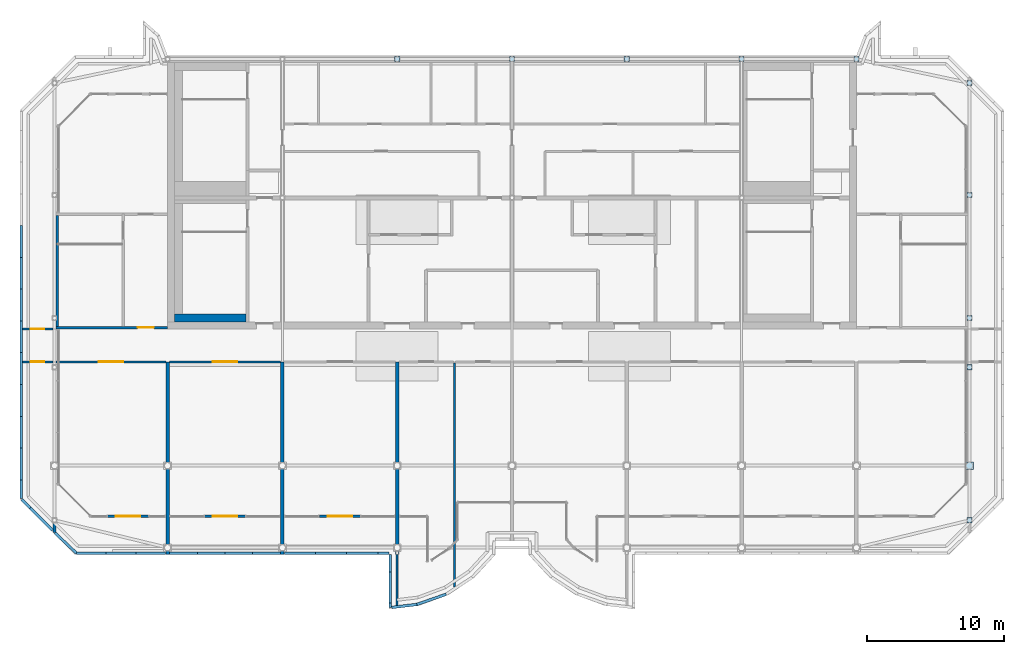
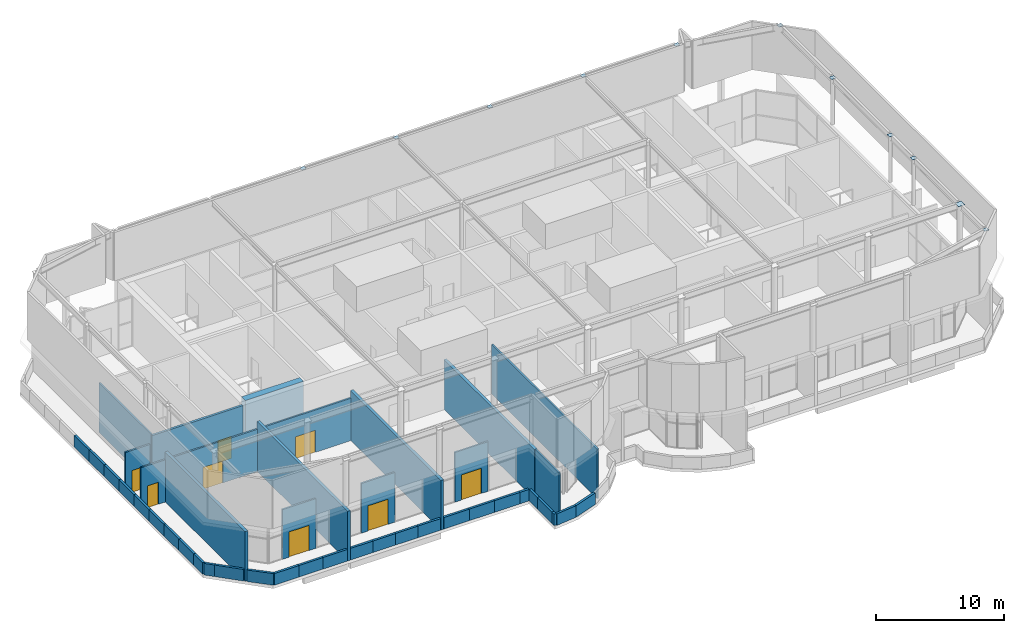
# One storey, part 18 of 25: 44 walls, 11 plates, 8 doors, 8 openings.
"""IFC4 building model written with IfcOpenShell, lengths in metres."""

from ifc_helpers import new_model, si_unit, direction, frame, frame_2d, origin, origin_2d, place, context, subcontext, project, spatial, rectangle, extrude, source, transform, mapped, material, layer, layer_set, type_object, element, fill, save


model = new_model("IFC4")

# Units and contexts
model_context = context("Model", 3, precision=1e-05, world=origin(), true_north=direction((0.0, 1.0)))
body_context = subcontext(model_context, "Body", "Model", "MODEL_VIEW")
ifc_project = project(units=[si_unit("LENGTHUNIT", "METRE"), si_unit("AREAUNIT", "SQUARE_METRE"), si_unit("VOLUMEUNIT", "CUBIC_METRE"), si_unit("PLANEANGLEUNIT", "RADIAN"), si_unit("MASSUNIT", "GRAM", prefix="KILO")], contexts=[model_context])

# Site, building, storey
site_placement = place(None, origin())
site = spatial("IfcSite", under=ifc_project, at=site_placement, CompositionType="ELEMENT")
building_placement = place(site_placement, origin())
building = spatial("IfcBuilding", under=site, at=building_placement, Name="Vanashikhar Sky Hotel", CompositionType="ELEMENT")
storey_placement = place(building_placement, frame((0.0, 0.0, 329.699951171875)))
storey = spatial("IfcBuildingStorey", under=building, at=storey_placement, Name="L78", CompositionType="ELEMENT", Elevation=329.699951171875)

# Plates
ifc_material_1 = material(Name="Steel S355", Category="steel")
ifc_layer_1 = layer(ifc_material_1, 0.02001953125)
ifc_layer_set_1 = layer_set([ifc_layer_1], Name="Post cap plate 20")
plate_type = type_object("IfcPlateType", Name="Post cap plate 20", PredefinedType="SHEET", material=ifc_layer_set_1)
shared_shape_1 = source(origin(), body_context, "Body", "SweptSolid", [
    extrude(rectangle(XDim=0.568115234375, YDim=0.568115234375, at=origin_2d()), origin(), (0.0, 0.0, 1.0), 0.02001953125),
])
plate_placement = place(storey_placement, frame((83.875, 12.0, 9.400146484375), z_axis=(0.0, 0.0, 1.0), x_axis=(1.0, 0.0, 0.0)))
element("IfcPlate", 1, at=plate_placement, inside=storey, type_object=plate_type, Name="Post cap plate", PredefinedType="SHEET", context=body_context, shape_type="MappedRepresentation", body=[
    mapped(shared_shape_1, transform((0.0, 0.0, 0.0), scale=1.0)),
])
shared_shape_2 = source(origin(), body_context, "Body", "SweptSolid", [
    extrude(rectangle(XDim=0.384033203125, YDim=0.384033203125, at=origin_2d()), origin(), (0.0, 0.0, 1.0), 0.02001953125),
])
for number, where, z_axis, x_axis, name in (
    (2, (42.0, 41.75, 9.400146484375), (0.0, 0.0, 1.0), (1.0, 0.0, 0.0), "Post cap plate"),
    (3, (50.39990234375, 41.75, 9.400146484375), (0.0, 0.0, 1.0), (1.0, 0.0, 0.0), "Post cap plate"),
    (4, (58.800048828125, 41.75, 9.400146484375), (0.0, 0.0, 1.0), (1.0, 0.0, 0.0), "Post cap plate"),
    (5, (67.199951171875, 41.75, 9.400146484375), (0.0, 0.0, 1.0), (1.0, 0.0, 0.0), "Post cap plate"),
    (6, (75.60009765625, 41.75, 9.400146484375), (0.0, 0.0, 1.0), (1.0, 0.0, 0.0), "Post cap plate"),
    (7, (83.875, 8.0, 9.400146484375), (0.0, 0.0, 1.0), (1.0, 0.0, 0.0), "Post cap plate"),
    (8, (83.875, 19.199951171875, 9.400146484375), (0.0, 0.0, 1.0), (1.0, 0.0, 0.0), "Post cap plate"),
    (9, (83.875, 22.800048828125, 9.400146484375), (0.0, 0.0, 1.0), (1.0, 0.0, 0.0), "Post cap plate"),
    (10, (83.875, 31.800048828125, 9.400146484375), (0.0, 0.0, 1.0), (1.0, 0.0, 0.0), "Post cap plate"),
    (11, (83.875, 40.0, 9.400146484375), (0.0, 0.0, 1.0), (1.0, 0.0, 0.0), "Post cap plate"),
):
    element("IfcPlate", number, at=place(storey_placement, frame(where, z_axis=z_axis, x_axis=x_axis)), inside=storey, type_object=plate_type, Name=name, PredefinedType="SHEET", context=body_context, shape_type="MappedRepresentation", body=[
        mapped(shared_shape_2, transform((0.0, 0.0, 0.0), scale=1.0)),
    ])

# Walls
ifc_material_2 = material(Name="Concrete M50", Category="concrete")
ifc_layer_2 = layer(ifc_material_2, 0.25)
ifc_layer_set_2 = layer_set([ifc_layer_2], Name="RC shear wall 250 Concrete M50")
wall_type_1 = type_object("IfcWallType", Name="RC shear wall 250 Concrete M50", PredefinedType="SHEAR", material=ifc_layer_set_2)
shared_shape_3 = source(origin(), body_context, "Body", "SweptSolid", [
    extrude(rectangle(XDim=12.5, YDim=0.25, at=frame_2d((6.25, 0.0))), origin(), (0.0, 0.0, 1.0), 4.719970703125),
])
wall_1_placement = place(storey_placement, frame((16.925048828125, 7.10009765625, 0.0), z_axis=(0.0, 0.0, 1.0), x_axis=(0.0, 1.0, 0.0)))
element("IfcWall", 12, at=wall_1_placement, inside=storey, type_object=wall_type_1, Name="CW-L78-XW03-1", PredefinedType="SHEAR", context=body_context, shape_type="MappedRepresentation", body=[
    mapped(shared_shape_3, transform((0.0, 0.0, 0.0), scale=1.0)),
])
shared_shape_4 = source(origin(), body_context, "Body", "SweptSolid", [
    extrude(rectangle(XDim=14.10009765625, YDim=0.25, at=frame_2d((7.050048828125, 0.0))), origin(), (0.0, 0.0, 1.0), 4.719970703125),
])
for number, where, z_axis, x_axis, name in (
    (13, (25.199951171875, 5.5, 0.0), (0.0, 0.0, 1.0), (0.0, 1.0, 0.0), "CW-L78-XW04-1"),
    (14, (33.60009765625, 5.5, 0.0), (0.0, 0.0, 1.0), (0.0, 1.0, 0.0), "CW-L78-XW05-1"),
    (15, (42.0, 5.5, 0.0), (0.0, 0.0, 1.0), (0.0, 1.0, 0.0), "CW-L78-XW06-1"),
):
    element("IfcWall", number, at=place(storey_placement, frame(where, z_axis=z_axis, x_axis=x_axis)), inside=storey, type_object=wall_type_1, Name=name, PredefinedType="SHEAR", context=body_context, shape_type="MappedRepresentation", body=[
        mapped(shared_shape_4, transform((0.0, 0.0, 0.0), scale=1.0)),
    ])
ifc_layer_3 = layer(ifc_material_2, 0.199951171875)
ifc_layer_set_3 = layer_set([ifc_layer_3], Name="Parapet 200")
wall_type_2 = type_object("IfcWallType", Name="Parapet 200", PredefinedType="PARAPET", material=ifc_layer_set_3)
shared_shape_5 = source(origin(), body_context, "Body", "SweptSolid", [
    extrude(rectangle(XDim=2.32421875, YDim=0.199951171875, at=frame_2d((1.162109375, 0.0))), origin(), (0.0, 0.0, 1.0), 1.10009765625),
])
for number, where, z_axis, x_axis, name in (
    (16, (16.780029296875, 7.261474609375, 0.0), (0.0, 0.0, 1.0), (-0.707106781187, 0.707106781187, 0.0), "Lookout balustrade wall"),
    (17, (14.5, 13.290283203125, 0.0), (0.0, 0.0, 1.0), (0.0, 1.0, 0.0), "Lookout balustrade wall"),
    (18, (14.5, 22.587890625, 0.0), (0.0, 0.0, 1.0), (0.0, 1.0, 0.0), "Lookout balustrade wall"),
):
    element("IfcWall", number, at=place(storey_placement, frame(where, z_axis=z_axis, x_axis=x_axis)), inside=storey, type_object=wall_type_2, Name=name, PredefinedType="PARAPET", context=body_context, shape_type="MappedRepresentation", body=[
        mapped(shared_shape_5, transform((0.0, 0.0, 0.0), scale=1.0)),
    ])
shared_shape_6 = source(origin(), body_context, "Body", "SweptSolid", [
    extrude(rectangle(XDim=0.858642578125, YDim=0.199951171875, at=frame_2d((0.42919921875, 0.0))), origin(), (0.0, 0.0, 1.0), 1.10009765625),
])
wall_2_placement = place(storey_placement, frame((15.136474609375, 8.905029296875, 0.0), z_axis=(0.0, 0.0, 1.0), x_axis=(-0.707106781187, 0.707106781187, 0.0)))
element("IfcWall", 19, at=wall_2_placement, inside=storey, type_object=wall_type_2, Name="Lookout balustrade wall", PredefinedType="PARAPET", context=body_context, shape_type="MappedRepresentation", body=[
    mapped(shared_shape_6, transform((0.0, 0.0, 0.0), scale=1.0)),
])
shared_shape_7 = source(origin(), body_context, "Body", "SweptSolid", [
    extrude(rectangle(XDim=1.383056640625, YDim=0.199951171875, at=frame_2d((0.69140625, 0.0))), origin(), (0.0, 0.0, 1.0), 1.10009765625),
])
wall_3_placement = place(storey_placement, frame((14.5, 9.582763671875, 0.0), z_axis=(0.0, 0.0, 1.0), x_axis=(0.0, 1.0, 0.0)))
element("IfcWall", 20, at=wall_3_placement, inside=storey, type_object=wall_type_2, Name="Lookout balustrade wall", PredefinedType="PARAPET", context=body_context, shape_type="MappedRepresentation", body=[
    mapped(shared_shape_7, transform((0.0, 0.0, 0.0), scale=1.0)),
])
shared_shape_8 = source(origin(), body_context, "Body", "SweptSolid", [
    extrude(rectangle(XDim=2.324462890625, YDim=0.199951171875, at=frame_2d((1.162109375, 0.0))), origin(), (0.0, 0.0, 1.0), 1.10009765625),
])
for number, where, z_axis, x_axis, name in (
    (21, (14.5, 10.9658203125, 0.0), (0.0, 0.0, 1.0), (0.0, 1.0, 0.0), "Lookout balustrade wall"),
    (22, (14.5, 15.614501953125, 0.0), (0.0, 0.0, 1.0), (0.0, 1.0, 0.0), "Lookout balustrade wall"),
    (23, (14.5, 17.93896484375, 0.0), (0.0, 0.0, 1.0), (0.0, 1.0, 0.0), "Lookout balustrade wall"),
    (24, (14.5, 20.263427734375, 0.0), (0.0, 0.0, 1.0), (0.0, 1.0, 0.0), "Lookout balustrade wall"),
    (25, (14.5, 24.912109375, 0.0), (0.0, 0.0, 1.0), (0.0, 1.0, 0.0), "Lookout balustrade wall"),
    (26, (14.5, 27.236572265625, 0.0), (0.0, 0.0, 1.0), (0.0, 1.0, 0.0), "Lookout balustrade wall"),
):
    element("IfcWall", number, at=place(storey_placement, frame(where, z_axis=z_axis, x_axis=x_axis)), inside=storey, type_object=wall_type_2, Name=name, PredefinedType="PARAPET", context=body_context, shape_type="MappedRepresentation", body=[
        mapped(shared_shape_8, transform((0.0, 0.0, 0.0), scale=1.0)),
    ])
shared_shape_9 = source(origin(), body_context, "Body", "SweptSolid", [
    extrude(rectangle(XDim=2.176513671875, YDim=0.199951171875, at=frame_2d((1.08837890625, 0.0))), origin(), (0.0, 0.0, 1.0), 1.10009765625),
])
wall_4_placement = place(storey_placement, frame((25.054931640625, 5.60009765625, 0.0), z_axis=(0.0, 0.0, 1.0), x_axis=(-1.0, 0.0, 0.0)))
element("IfcWall", 27, at=wall_4_placement, inside=storey, type_object=wall_type_2, Name="Lookout balustrade wall", PredefinedType="PARAPET", context=body_context, shape_type="MappedRepresentation", body=[
    mapped(shared_shape_9, transform((0.0, 0.0, 0.0), scale=1.0)),
])
shared_shape_10 = source(origin(), body_context, "Body", "SweptSolid", [
    extrude(rectangle(XDim=2.1767578125, YDim=0.199951171875, at=frame_2d((1.08837890625, 0.0))), origin(), (0.0, 0.0, 1.0), 1.10009765625),
])
for number, where, z_axis, x_axis, name in (
    (28, (22.87841796875, 5.60009765625, 0.0), (0.0, 0.0, 1.0), (-1.0, 0.0, 0.0), "Lookout balustrade wall"),
    (29, (20.70166015625, 5.60009765625, 0.0), (0.0, 0.0, 1.0), (-1.0, 0.0, 0.0), "Lookout balustrade wall"),
):
    element("IfcWall", number, at=place(storey_placement, frame(where, z_axis=z_axis, x_axis=x_axis)), inside=storey, type_object=wall_type_2, Name=name, PredefinedType="PARAPET", context=body_context, shape_type="MappedRepresentation", body=[
        mapped(shared_shape_10, transform((0.0, 0.0, 0.0), scale=1.0)),
    ])
shared_shape_11 = source(origin(), body_context, "Body", "SweptSolid", [
    extrude(rectangle(XDim=2.15283203125, YDim=0.199951171875, at=frame_2d((1.076416015625, 0.0))), origin(), (0.0, 0.0, 1.0), 1.10009765625),
])
wall_5_placement = place(storey_placement, frame((18.52490234375, 5.60009765625, 0.0), z_axis=(0.0, 0.0, 1.0), x_axis=(-0.726232737351, 0.687448915338, 0.0)))
element("IfcWall", 30, at=wall_5_placement, inside=storey, type_object=wall_type_2, Name="Lookout balustrade wall", PredefinedType="PARAPET", context=body_context, shape_type="MappedRepresentation", body=[
    mapped(shared_shape_11, transform((0.0, 0.0, 0.0), scale=1.0)),
])
shared_shape_12 = source(origin(), body_context, "Body", "SweptSolid", [
    extrude(rectangle(XDim=2.027587890625, YDim=0.199951171875, at=frame_2d((1.013671875, 0.0))), origin(), (0.0, 0.0, 1.0), 1.10009765625),
])
for number, where, z_axis, x_axis, name in (
    (31, (33.455078125, 5.60009765625, 0.0), (0.0, 0.0, 1.0), (-1.0, 0.0, 0.0), "Lookout balustrade wall"),
    (32, (31.427490234375, 5.60009765625, 0.0), (0.0, 0.0, 1.0), (-1.0, 0.0, 0.0), "Lookout balustrade wall"),
    (33, (27.37255859375, 5.60009765625, 0.0), (0.0, 0.0, 1.0), (-1.0, 0.0, 0.0), "Lookout balustrade wall"),
):
    element("IfcWall", number, at=place(storey_placement, frame(where, z_axis=z_axis, x_axis=x_axis)), inside=storey, type_object=wall_type_2, Name=name, PredefinedType="PARAPET", context=body_context, shape_type="MappedRepresentation", body=[
        mapped(shared_shape_12, transform((0.0, 0.0, 0.0), scale=1.0)),
    ])
shared_shape_13 = source(origin(), body_context, "Body", "SweptSolid", [
    extrude(rectangle(XDim=2.02734375, YDim=0.199951171875, at=frame_2d((1.013671875, 0.0))), origin(), (0.0, 0.0, 1.0), 1.10009765625),
])
wall_6_placement = place(storey_placement, frame((29.39990234375, 5.60009765625, 0.0), z_axis=(0.0, 0.0, 1.0), x_axis=(-1.0, 0.0, 0.0)))
element("IfcWall", 34, at=wall_6_placement, inside=storey, type_object=wall_type_2, Name="Lookout balustrade wall", PredefinedType="PARAPET", context=body_context, shape_type="MappedRepresentation", body=[
    mapped(shared_shape_13, transform((0.0, 0.0, 0.0), scale=1.0)),
])
shared_shape_14 = source(origin(), body_context, "Body", "SweptSolid", [
    extrude(rectangle(XDim=2.276611328125, YDim=0.199951171875, at=frame_2d((1.13818359375, 0.0))), origin(), (0.0, 0.0, 1.0), 1.10009765625),
])
wall_7_placement = place(storey_placement, frame((45.58447265625, 2.591064453125, 0.0), z_axis=(0.0, 0.0, 1.0), x_axis=(-0.944407068574, -0.328778479874, 0.0)))
element("IfcWall", 35, at=wall_7_placement, inside=storey, type_object=wall_type_2, Name="Lookout balustrade wall", PredefinedType="PARAPET", context=body_context, shape_type="MappedRepresentation", body=[
    mapped(shared_shape_14, transform((0.0, 0.0, 0.0), scale=1.0)),
])
shared_shape_15 = source(origin(), body_context, "Body", "SweptSolid", [
    extrude(rectangle(XDim=1.847900390625, YDim=0.199951171875, at=frame_2d((0.923828125, 0.0))), origin(), (0.0, 0.0, 1.0), 1.10009765625),
])
wall_8_placement = place(storey_placement, frame((43.434326171875, 1.842529296875, 0.0), z_axis=(0.0, 0.0, 1.0), x_axis=(-0.993015572698, -0.117983356362, 0.0)))
element("IfcWall", 36, at=wall_8_placement, inside=storey, type_object=wall_type_2, Name="Lookout balustrade wall", PredefinedType="PARAPET", context=body_context, shape_type="MappedRepresentation", body=[
    mapped(shared_shape_15, transform((0.0, 0.0, 0.0), scale=1.0)),
])
shared_shape_16 = source(origin(), body_context, "Body", "SweptSolid", [
    extrude(rectangle(XDim=0.333740234375, YDim=0.199951171875, at=frame_2d((0.1669921875, 0.0))), origin(), (0.0, 0.0, 1.0), 1.10009765625),
])
wall_9_placement = place(storey_placement, frame((41.5, 1.612548828125, 0.0), z_axis=(0.0, 0.0, 1.0), x_axis=(0.0, 1.0, 0.0)))
element("IfcWall", 37, at=wall_9_placement, inside=storey, type_object=wall_type_2, Name="Lookout balustrade wall", PredefinedType="PARAPET", context=body_context, shape_type="MappedRepresentation", body=[
    mapped(shared_shape_16, transform((0.0, 0.0, 0.0), scale=1.0)),
])
shared_shape_17 = source(origin(), body_context, "Body", "SweptSolid", [
    extrude(rectangle(XDim=2.28173828125, YDim=0.199951171875, at=frame_2d((1.140869140625, 0.0))), origin(), (0.0, 0.0, 1.0), 1.10009765625),
])
for number, where, z_axis, x_axis, name in (
    (38, (41.5, 1.9462890625, 0.0), (0.0, 0.0, 1.0), (0.0, 1.0, 0.0), "Lookout balustrade wall"),
    (39, (40.590087890625, 5.60009765625, 0.0), (0.0, 0.0, 1.0), (-1.0, 0.0, 0.0), "Lookout balustrade wall"),
    (40, (38.308349609375, 5.60009765625, 0.0), (0.0, 0.0, 1.0), (-1.0, 0.0, 0.0), "Lookout balustrade wall"),
):
    element("IfcWall", number, at=place(storey_placement, frame(where, z_axis=z_axis, x_axis=x_axis)), inside=storey, type_object=wall_type_2, Name=name, PredefinedType="PARAPET", context=body_context, shape_type="MappedRepresentation", body=[
        mapped(shared_shape_17, transform((0.0, 0.0, 0.0), scale=1.0)),
    ])
shared_shape_18 = source(origin(), body_context, "Body", "SweptSolid", [
    extrude(rectangle(XDim=1.27197265625, YDim=0.199951171875, at=frame_2d((0.635986328125, 0.0))), origin(), (0.0, 0.0, 1.0), 1.10009765625),
])
wall_10_placement = place(storey_placement, frame((41.5, 4.22802734375, 0.0), z_axis=(0.0, 0.0, 1.0), x_axis=(0.0, 1.0, 0.0)))
element("IfcWall", 41, at=wall_10_placement, inside=storey, type_object=wall_type_2, Name="Lookout balustrade wall", PredefinedType="PARAPET", context=body_context, shape_type="MappedRepresentation", body=[
    mapped(shared_shape_18, transform((0.0, 0.0, 0.0), scale=1.0)),
])
shared_shape_19 = source(origin(), body_context, "Body", "SweptSolid", [
    extrude(rectangle(XDim=0.809814453125, YDim=0.199951171875, at=frame_2d((0.40478515625, 0.0))), origin(), (0.0, 0.0, 1.0), 1.10009765625),
])
wall_11_placement = place(storey_placement, frame((41.39990234375, 5.60009765625, 0.0), z_axis=(0.0, 0.0, 1.0), x_axis=(-1.0, 0.0, 0.0)))
element("IfcWall", 42, at=wall_11_placement, inside=storey, type_object=wall_type_2, Name="Lookout balustrade wall", PredefinedType="PARAPET", context=body_context, shape_type="MappedRepresentation", body=[
    mapped(shared_shape_19, transform((0.0, 0.0, 0.0), scale=1.0)),
])
shared_shape_20 = source(origin(), body_context, "Body", "SweptSolid", [
    extrude(rectangle(XDim=2.281494140625, YDim=0.199951171875, at=frame_2d((1.140625, 0.0))), origin(), (0.0, 0.0, 1.0), 1.10009765625),
])
wall_12_placement = place(storey_placement, frame((36.026611328125, 5.60009765625, 0.0), z_axis=(0.0, 0.0, 1.0), x_axis=(-1.0, 0.0, 0.0)))
element("IfcWall", 43, at=wall_12_placement, inside=storey, type_object=wall_type_2, Name="Lookout balustrade wall", PredefinedType="PARAPET", context=body_context, shape_type="MappedRepresentation", body=[
    mapped(shared_shape_20, transform((0.0, 0.0, 0.0), scale=1.0)),
])

# Wall, opening, door
ifc_material_3 = material(Name="Aluminium", Category="aluminium")
ifc_layer_4 = layer(ifc_material_3, 0.14990234375)
ifc_layer_set_4 = layer_set([ifc_layer_4], Name="Aluminium framed infill wall 150")
wall_type_3 = type_object("IfcWallType", Name="Aluminium framed infill wall 150", PredefinedType="SOLIDWALL", material=ifc_layer_set_4)
shared_shape_21 = source(origin(), body_context, "Body", "SweptSolid", [
    extrude(rectangle(XDim=3.0, YDim=0.14990234375, at=frame_2d((1.5, 0.0))), origin(), (0.0, 0.0, 1.0), 4.719970703125),
])
wall_13_placement = place(storey_placement, frame((20.807373046875, 8.300048828125, 0.0), z_axis=(0.0, 0.0, 1.0), x_axis=(1.0, 0.0, 0.0)))
wall_13 = element("IfcWall", 44, at=wall_13_placement, inside=storey, type_object=wall_type_3, Name="Lounge door wall", PredefinedType="SOLIDWALL", context=body_context, shape_type="MappedRepresentation", body=[
    mapped(shared_shape_21, transform((0.0, 0.0, 0.0), scale=1.0)),
])
shared_shape_22 = source(origin(), body_context, "Body", "SweptSolid", [
    extrude(rectangle(XDim=1.800048828125, YDim=2.39990234375, at=frame_2d((0.89990234375, 1.199951171875))), frame((0.0, 0.0849609375, 0.0), z_axis=(0.0, -1.0, 0.0), x_axis=(1.0, 0.0, 0.0)), (0.0, 0.0, 1.0), 0.169921875),
])
opening_1_placement = place(wall_13_placement, frame((0.60009765625, 0.0, 0.0)))
opening_1 = element("IfcOpeningElement", 45, at=opening_1_placement, cuts=wall_13, Name="Opening LD-01", PredefinedType="OPENING", context=body_context, shape_type="MappedRepresentation", body=[
    mapped(shared_shape_22, transform((0.0, 0.0, 0.0), scale=1.0)),
])
door_type_1 = type_object("IfcDoorType", Name="Lookout sliding door 1800 x 2400", OperationType="NOTDEFINED", PredefinedType="DOOR", material=ifc_material_3)
shared_shape_23 = source(origin(), body_context, "Body", "SweptSolid", [
    extrude(rectangle(XDim=1.800048828125, YDim=2.39990234375, at=frame_2d((0.89990234375, 1.199951171875))), frame((0.0, 0.02490234375, 0.0), z_axis=(0.0, -1.0, 0.0), x_axis=(1.0, 0.0, 0.0)), (0.0, 0.0, 1.0), 0.050048828125),
])
door_1_placement = place(opening_1_placement, origin())
door_1 = element("IfcDoor", 46, at=door_1_placement, inside=storey, type_object=door_type_1, Name="Lookout sliding door", OperationType="SLIDING_TO_LEFT", OverallHeight=2.39990234375, OverallWidth=1.800048828125, PredefinedType="DOOR", context=body_context, shape_type="MappedRepresentation", body=[
    mapped(shared_shape_23, transform((0.0, 0.0, 0.0), scale=1.0)),
])
fill(opening_1, door_1)

wall_14_placement = place(storey_placement, frame((27.89990234375, 8.300048828125, 0.0), z_axis=(0.0, 0.0, 1.0), x_axis=(1.0, 0.0, 0.0)))
wall_14 = element("IfcWall", 47, at=wall_14_placement, inside=storey, type_object=wall_type_3, Name="Lounge door wall", PredefinedType="SOLIDWALL", context=body_context, shape_type="MappedRepresentation", body=[
    mapped(shared_shape_21, transform((0.0, 0.0, 0.0), scale=1.0)),
])
opening_2_placement = place(wall_14_placement, frame((0.60009765625, 0.0, 0.0)))
opening_2 = element("IfcOpeningElement", 48, at=opening_2_placement, cuts=wall_14, Name="Opening LD-02", PredefinedType="OPENING", context=body_context, shape_type="MappedRepresentation", body=[
    mapped(shared_shape_22, transform((0.0, 0.0, 0.0), scale=1.0)),
])
door_2_placement = place(opening_2_placement, origin())
door_2 = element("IfcDoor", 49, at=door_2_placement, inside=storey, type_object=door_type_1, Name="Lookout sliding door", OperationType="SLIDING_TO_RIGHT", OverallHeight=2.39990234375, OverallWidth=1.800048828125, PredefinedType="DOOR", context=body_context, shape_type="MappedRepresentation", body=[
    mapped(shared_shape_23, transform((0.0, 0.0, 0.0), scale=1.0)),
])
fill(opening_2, door_2)

wall_15_placement = place(storey_placement, frame((36.300048828125, 8.300048828125, 0.0), z_axis=(0.0, 0.0, 1.0), x_axis=(1.0, 0.0, 0.0)))
wall_15 = element("IfcWall", 50, at=wall_15_placement, inside=storey, type_object=wall_type_3, Name="Lounge door wall", PredefinedType="SOLIDWALL", context=body_context, shape_type="MappedRepresentation", body=[
    mapped(shared_shape_21, transform((0.0, 0.0, 0.0), scale=1.0)),
])
opening_3_placement = place(wall_15_placement, frame((0.60009765625, 0.0, 0.0)))
opening_3 = element("IfcOpeningElement", 51, at=opening_3_placement, cuts=wall_15, Name="Opening LD-03", PredefinedType="OPENING", context=body_context, shape_type="MappedRepresentation", body=[
    mapped(shared_shape_22, transform((0.0, 0.0, 0.0), scale=1.0)),
])
door_3_placement = place(opening_3_placement, origin())
door_3 = element("IfcDoor", 52, at=door_3_placement, inside=storey, type_object=door_type_1, Name="Lookout sliding door", OperationType="SLIDING_TO_LEFT", OverallHeight=2.39990234375, OverallWidth=1.800048828125, PredefinedType="DOOR", context=body_context, shape_type="MappedRepresentation", body=[
    mapped(shared_shape_23, transform((0.0, 0.0, 0.0), scale=1.0)),
])
fill(opening_3, door_3)

ifc_layer_5 = layer(ifc_material_2, 0.199951171875)
ifc_layer_set_5 = layer_set([ifc_layer_5], Name="Stair wall 200")
wall_type_4 = type_object("IfcWallType", Name="Stair wall 200", PredefinedType="SOLIDWALL", material=ifc_layer_set_5)
shared_shape_24 = source(origin(), body_context, "Body", "SweptSolid", [
    extrude(rectangle(XDim=8.14990234375, YDim=0.199951171875, at=frame_2d((4.074951171875, 0.0))), origin(), (0.0, 0.0, 1.0), 4.719970703125),
])
wall_16_placement = place(storey_placement, frame((17.050048828125, 22.10009765625, 0.0), z_axis=(0.0, 0.0, 1.0), x_axis=(1.0, 0.0, 0.0)))
wall_16 = element("IfcWall", 53, at=wall_16_placement, inside=storey, type_object=wall_type_4, Name="Stair wall 200", PredefinedType="SOLIDWALL", context=body_context, shape_type="MappedRepresentation", body=[
    mapped(shared_shape_24, transform((0.0, 0.0, 0.0), scale=1.0)),
])
shared_shape_25 = source(origin(), body_context, "Body", "SweptSolid", [
    extrude(rectangle(XDim=1.199951171875, YDim=2.10009765625, at=frame_2d((0.60009765625, 1.050048828125))), frame((0.0, 0.10986328125, 0.0), z_axis=(0.0, -1.0, 0.0), x_axis=(1.0, 0.0, 0.0)), (0.0, 0.0, 1.0), 0.219970703125),
])
opening_4_placement = place(wall_16_placement, frame((5.949951171875, 0.0, 0.0)))
opening_4 = element("IfcOpeningElement", 54, at=opening_4_placement, cuts=wall_16, Name="Opening DC-2", PredefinedType="OPENING", context=body_context, shape_type="MappedRepresentation", body=[
    mapped(shared_shape_25, transform((0.0, 0.0, 0.0), scale=1.0)),
])
ifc_material_4 = material(Name="Steel", Category="steel")
door_type_2 = type_object("IfcDoorType", Name="Firefighting lobby door 1200 FD120", OperationType="NOTDEFINED", PredefinedType="DOOR", material=ifc_material_4)
shared_shape_26 = source(origin(), body_context, "Body", "SweptSolid", [
    extrude(rectangle(XDim=1.199951171875, YDim=2.10009765625, at=frame_2d((0.60009765625, 1.050048828125))), frame((0.0, 0.02490234375, 0.0), z_axis=(0.0, -1.0, 0.0), x_axis=(1.0, 0.0, 0.0)), (0.0, 0.0, 1.0), 0.050048828125),
])
door_4_placement = place(opening_4_placement, origin())
door_4 = element("IfcDoor", 55, at=door_4_placement, inside=storey, type_object=door_type_2, Name="Firefighting lobby door 1200 FD120", OperationType="SINGLE_SWING_RIGHT", OverallHeight=2.10009765625, OverallWidth=1.199951171875, PredefinedType="DOOR", context=body_context, shape_type="MappedRepresentation", body=[
    mapped(shared_shape_26, transform((0.0, 0.0, 0.0), scale=1.0)),
])
fill(opening_4, door_4)

# Walls
ifc_layer_6 = layer(ifc_material_2, 0.60009765625)
ifc_layer_set_6 = layer_set([ifc_layer_6], Name="Stair infill wall 600")
wall_type_5 = type_object("IfcWallType", Name="Stair infill wall 600", PredefinedType="SOLIDWALL", material=ifc_layer_set_6)
shared_shape_27 = source(origin(), body_context, "Body", "SweptSolid", [
    extrude(rectangle(XDim=5.25, YDim=0.60009765625, at=frame_2d((2.625, 0.0))), origin(), (0.0, 0.0, 1.0), 4.719970703125),
])
wall_17_placement = place(storey_placement, frame((25.699951171875, 22.800048828125, 0.0), z_axis=(0.0, 0.0, 1.0), x_axis=(1.0, 0.0, 0.0)))
element("IfcWall", 56, at=wall_17_placement, inside=storey, type_object=wall_type_5, Name="Stair infill wall 600", PredefinedType="SOLIDWALL", context=body_context, shape_type="MappedRepresentation", body=[
    mapped(shared_shape_27, transform((0.0, 0.0, 0.0), scale=1.0)),
])
ifc_layer_7 = layer(ifc_material_2, 0.14990234375)
ifc_layer_set_7 = layer_set([ifc_layer_7], Name="Stair infill wall 150")
wall_type_6 = type_object("IfcWallType", Name="Stair infill wall 150", PredefinedType="SOLIDWALL", material=ifc_layer_set_7)
shared_shape_28 = source(origin(), body_context, "Body", "SweptSolid", [
    extrude(rectangle(XDim=8.10009765625, YDim=0.14990234375, at=frame_2d((4.050048828125, 0.0))), origin(), (0.0, 0.0, 1.0), 4.719970703125),
])
wall_18_placement = place(storey_placement, frame((17.125, 22.199951171875, 0.0), z_axis=(0.0, 0.0, 1.0), x_axis=(0.0, 1.0, 0.0)))
element("IfcWall", 57, at=wall_18_placement, inside=storey, type_object=wall_type_6, Name="Stair infill wall 150", PredefinedType="SOLIDWALL", context=body_context, shape_type="MappedRepresentation", body=[
    mapped(shared_shape_28, transform((0.0, 0.0, 0.0), scale=1.0)),
])

# Wall, opening, door
ifc_material_5 = material(Name="Gypsum plasterboard partition")
ifc_layer_8 = layer(ifc_material_5, 0.14990234375)
ifc_layer_set_8 = layer_set([ifc_layer_8], Name="Corridor and demising partition 150")
wall_type_7 = type_object("IfcWallType", Name="Corridor and demising partition 150", PredefinedType="PARTITIONING", material=ifc_layer_set_8)
shared_shape_29 = source(origin(), body_context, "Body", "SweptSolid", [
    extrude(rectangle(XDim=8.02490234375, YDim=0.14990234375, at=frame_2d((4.012451171875, 0.0))), origin(), (0.0, 0.0, 1.0), 4.02001953125),
])
wall_19_placement = place(storey_placement, frame((17.050048828125, 19.60009765625, 0.0), z_axis=(0.0, 0.0, 1.0), x_axis=(1.0, 0.0, 0.0)))
wall_19 = element("IfcWall", 58, at=wall_19_placement, inside=storey, type_object=wall_type_7, Name="W-L78-PW001", PredefinedType="PARTITIONING", context=body_context, shape_type="MappedRepresentation", body=[
    mapped(shared_shape_29, transform((0.0, 0.0, 0.0), scale=1.0)),
])
shared_shape_30 = source(origin(), body_context, "Body", "SweptSolid", [
    extrude(rectangle(XDim=1.800048828125, YDim=2.10009765625, at=frame_2d((0.89990234375, 1.050048828125))), frame((0.0, 0.0849609375, 0.0), z_axis=(0.0, -1.0, 0.0), x_axis=(1.0, 0.0, 0.0)), (0.0, 0.0, 1.0), 0.169921875),
])
opening_5_placement = place(wall_19_placement, frame((3.113037109375, 0.0, 0.0)))
opening_5 = element("IfcOpeningElement", 59, at=opening_5_placement, cuts=wall_19, Name="Opening D-03", PredefinedType="OPENING", context=body_context, shape_type="MappedRepresentation", body=[
    mapped(shared_shape_30, transform((0.0, 0.0, 0.0), scale=1.0)),
])
ifc_material_6 = material(Name="Timber fire door", Category="wood")
door_type_3 = type_object("IfcDoorType", Name="Double leaf door 1800 FD30S", OperationType="NOTDEFINED", PredefinedType="DOOR", material=ifc_material_6)
shared_shape_31 = source(origin(), body_context, "Body", "SweptSolid", [
    extrude(rectangle(XDim=1.800048828125, YDim=2.10009765625, at=frame_2d((0.89990234375, 1.050048828125))), frame((0.0, 0.02490234375, 0.0), z_axis=(0.0, -1.0, 0.0), x_axis=(1.0, 0.0, 0.0)), (0.0, 0.0, 1.0), 0.050048828125),
])
door_5_placement = place(opening_5_placement, origin())
door_5 = element("IfcDoor", 60, at=door_5_placement, inside=storey, type_object=door_type_3, Name="D-L78-001", OperationType="DOUBLE_DOOR_SINGLE_SWING", OverallHeight=2.10009765625, OverallWidth=1.800048828125, PredefinedType="DOOR", context=body_context, shape_type="MappedRepresentation", body=[
    mapped(shared_shape_31, transform((0.0, 0.0, 0.0), scale=1.0)),
])
fill(opening_5, door_5)

shared_shape_32 = source(origin(), body_context, "Body", "SweptSolid", [
    extrude(rectangle(XDim=8.150146484375, YDim=0.14990234375, at=frame_2d((4.0751953125, 0.0))), origin(), (0.0, 0.0, 1.0), 4.02001953125),
])
wall_20_placement = place(storey_placement, frame((25.324951171875, 19.60009765625, 0.0), z_axis=(0.0, 0.0, 1.0), x_axis=(1.0, 0.0, 0.0)))
wall_20 = element("IfcWall", 61, at=wall_20_placement, inside=storey, type_object=wall_type_7, Name="W-L78-PW002", PredefinedType="PARTITIONING", context=body_context, shape_type="MappedRepresentation", body=[
    mapped(shared_shape_32, transform((0.0, 0.0, 0.0), scale=1.0)),
])
opening_6_placement = place(wall_20_placement, frame((3.175048828125, 0.0, 0.0)))
opening_6 = element("IfcOpeningElement", 62, at=opening_6_placement, cuts=wall_20, Name="Opening D-03", PredefinedType="OPENING", context=body_context, shape_type="MappedRepresentation", body=[
    mapped(shared_shape_30, transform((0.0, 0.0, 0.0), scale=1.0)),
])
door_6_placement = place(opening_6_placement, origin())
door_6 = element("IfcDoor", 63, at=door_6_placement, inside=storey, type_object=door_type_3, Name="D-L78-002", OperationType="DOUBLE_DOOR_SINGLE_SWING", OverallHeight=2.10009765625, OverallWidth=1.800048828125, PredefinedType="DOOR", context=body_context, shape_type="MappedRepresentation", body=[
    mapped(shared_shape_31, transform((0.0, 0.0, 0.0), scale=1.0)),
])
fill(opening_6, door_6)

# Walls
shared_shape_33 = source(origin(), body_context, "Body", "SweptSolid", [
    extrude(rectangle(XDim=16.414794921875, YDim=0.14990234375, at=frame_2d((8.20751953125, 0.0))), origin(), (0.0, 0.0, 1.0), 4.719970703125),
])
wall_21_placement = place(storey_placement, frame((46.199951171875, 3.110107421875, 0.0), z_axis=(0.0, 0.0, 1.0), x_axis=(0.0, 1.0, 0.0)))
element("IfcWall", 64, at=wall_21_placement, inside=storey, type_object=wall_type_7, Name="W-L78-PW006", PredefinedType="PARTITIONING", context=body_context, shape_type="MappedRepresentation", body=[
    mapped(shared_shape_33, transform((0.0, 0.0, 0.0), scale=1.0)),
])
shared_shape_34 = source(origin(), body_context, "Body", "SweptSolid", [
    extrude(rectangle(XDim=3.72705078125, YDim=0.14990234375, at=frame_2d((1.863525390625, 0.0))), origin(), (0.0, 0.0, 1.0), 4.719970703125),
])
wall_22_placement = place(storey_placement, frame((42.0, 1.77294921875, 0.0), z_axis=(0.0, 0.0, 1.0), x_axis=(0.0, 1.0, 0.0)))
element("IfcWall", 65, at=wall_22_placement, inside=storey, type_object=wall_type_7, Name="W-L78-PW011", PredefinedType="PARTITIONING", context=body_context, shape_type="MappedRepresentation", body=[
    mapped(shared_shape_34, transform((0.0, 0.0, 0.0), scale=1.0)),
])

# Wall, opening, door
shared_shape_35 = source(origin(), body_context, "Body", "SweptSolid", [
    extrude(rectangle(XDim=2.199951171875, YDim=0.14990234375, at=frame_2d((1.10009765625, 0.0))), origin(), (0.0, 0.0, 1.0), 4.02001953125),
])
wall_23_placement = place(storey_placement, frame((14.60009765625, 22.0, 0.0), z_axis=(0.0, 0.0, 1.0), x_axis=(1.0, 0.0, 0.0)))
wall_23 = element("IfcWall", 66, at=wall_23_placement, inside=storey, type_object=wall_type_7, Name="W-L78-PW013", PredefinedType="PARTITIONING", context=body_context, shape_type="MappedRepresentation", body=[
    mapped(shared_shape_35, transform((0.0, 0.0, 0.0), scale=1.0)),
])
shared_shape_36 = source(origin(), body_context, "Body", "SweptSolid", [
    extrude(rectangle(XDim=1.0, YDim=2.10009765625, at=frame_2d((0.5, 1.050048828125))), frame((0.0, 0.0849609375, 0.0), z_axis=(0.0, -1.0, 0.0), x_axis=(1.0, 0.0, 0.0)), (0.0, 0.0, 1.0), 0.169921875),
])
opening_7_placement = place(wall_23_placement, frame((0.574951171875, 0.0, 0.0)))
opening_7 = element("IfcOpeningElement", 67, at=opening_7_placement, cuts=wall_23, Name="Opening D-01", PredefinedType="OPENING", context=body_context, shape_type="MappedRepresentation", body=[
    mapped(shared_shape_36, transform((0.0, 0.0, 0.0), scale=1.0)),
])
door_type_4 = type_object("IfcDoorType", Name="Guest entry door 1000 FD30S", OperationType="NOTDEFINED", PredefinedType="DOOR", material=ifc_material_6)
shared_shape_37 = source(origin(), body_context, "Body", "SweptSolid", [
    extrude(rectangle(XDim=1.0, YDim=2.10009765625, at=frame_2d((0.5, 1.050048828125))), frame((0.0, 0.02490234375, 0.0), z_axis=(0.0, -1.0, 0.0), x_axis=(1.0, 0.0, 0.0)), (0.0, 0.0, 1.0), 0.050048828125),
])
door_7_placement = place(opening_7_placement, origin())
door_7 = element("IfcDoor", 68, at=door_7_placement, inside=storey, type_object=door_type_4, Name="D-L78-010", OperationType="SINGLE_SWING_LEFT", OverallHeight=2.10009765625, OverallWidth=1.0, PredefinedType="DOOR", context=body_context, shape_type="MappedRepresentation", body=[
    mapped(shared_shape_37, transform((0.0, 0.0, 0.0), scale=1.0)),
])
fill(opening_7, door_7)

wall_24_placement = place(storey_placement, frame((14.60009765625, 19.60009765625, 0.0), z_axis=(0.0, 0.0, 1.0), x_axis=(1.0, 0.0, 0.0)))
wall_24 = element("IfcWall", 69, at=wall_24_placement, inside=storey, type_object=wall_type_7, Name="W-L78-PW015", PredefinedType="PARTITIONING", context=body_context, shape_type="MappedRepresentation", body=[
    mapped(shared_shape_35, transform((0.0, 0.0, 0.0), scale=1.0)),
])
opening_8_placement = place(wall_24_placement, frame((0.574951171875, 0.0, 0.0)))
opening_8 = element("IfcOpeningElement", 70, at=opening_8_placement, cuts=wall_24, Name="Opening D-01", PredefinedType="OPENING", context=body_context, shape_type="MappedRepresentation", body=[
    mapped(shared_shape_36, transform((0.0, 0.0, 0.0), scale=1.0)),
])
door_8_placement = place(opening_8_placement, origin())
door_8 = element("IfcDoor", 71, at=door_8_placement, inside=storey, type_object=door_type_4, Name="D-L78-012", OperationType="SINGLE_SWING_LEFT", OverallHeight=2.10009765625, OverallWidth=1.0, PredefinedType="DOOR", context=body_context, shape_type="MappedRepresentation", body=[
    mapped(shared_shape_37, transform((0.0, 0.0, 0.0), scale=1.0)),
])
fill(opening_8, door_8)

save(model, "model.ifc")
